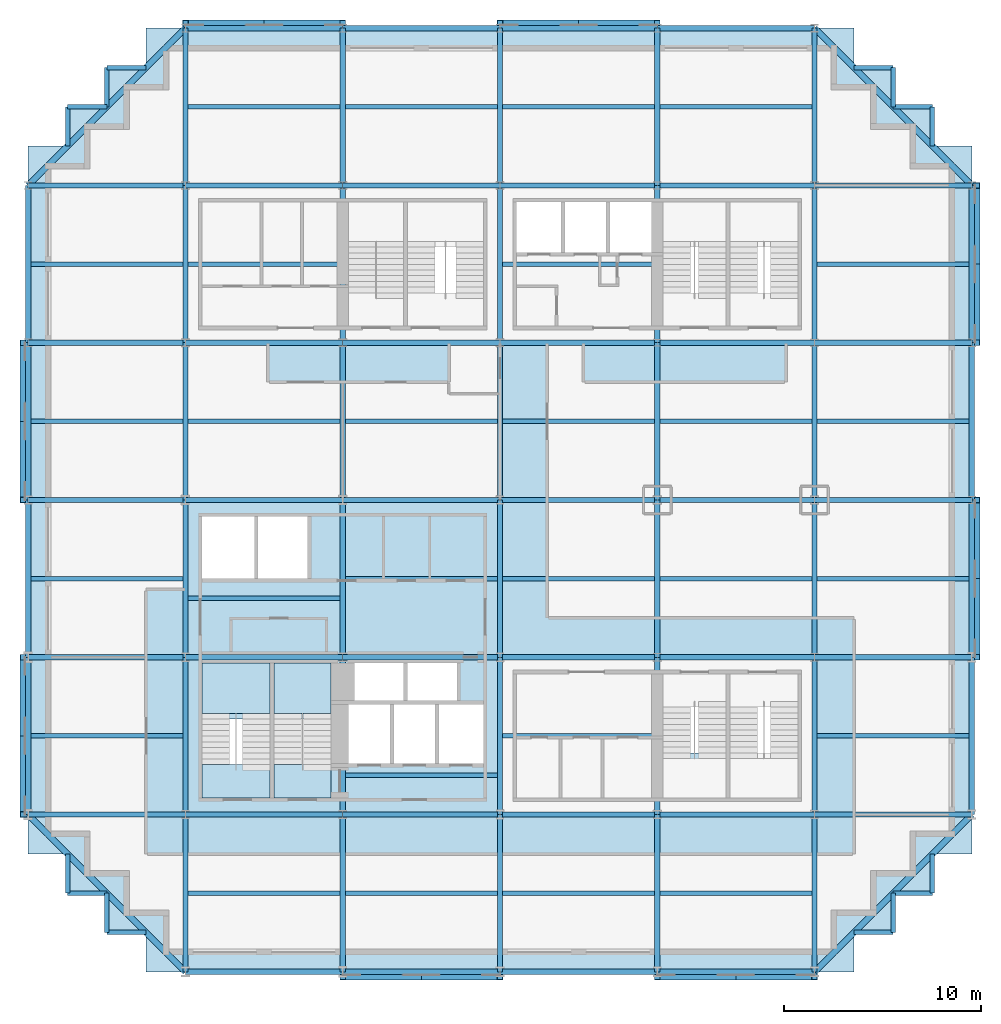
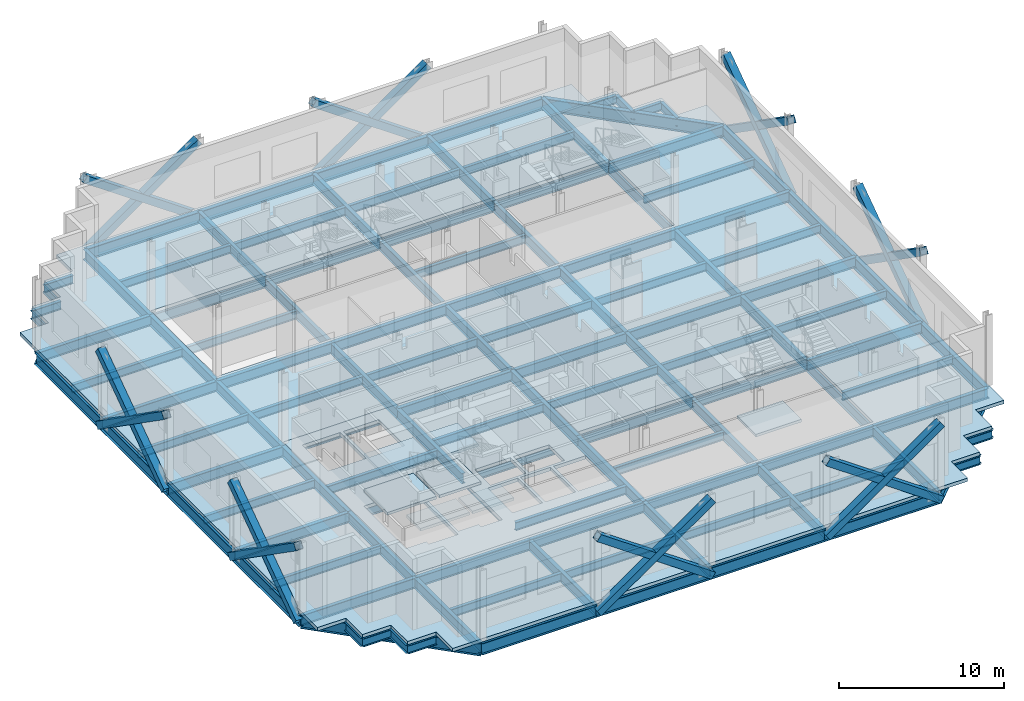
# One storey, part 3 of 10: 124 beams, 16 members, 9 slabs, 3 elements without a shape of their own.
"""IFC4 building model written with IfcOpenShell, lengths in metres."""

from ifc_helpers import new_model, si_unit, direction, frame, origin, origin_2d, place, context, subcontext, project, spatial, polyline, hollow_rectangle, i_section, outline, extrude, material, layer, layer_set, material_profile, profile_set, type_object, element, aggregate, save


model = new_model("IFC4")

# Units and contexts
model_context = context("Model", 3, precision=1e-05, world=origin(), true_north=direction((0.0, 1.0)))
body_context = subcontext(model_context, "Body", "Model", "MODEL_VIEW")
ifc_project = project(units=[si_unit("LENGTHUNIT", "METRE"), si_unit("AREAUNIT", "SQUARE_METRE"), si_unit("VOLUMEUNIT", "CUBIC_METRE"), si_unit("PLANEANGLEUNIT", "RADIAN"), si_unit("MASSUNIT", "GRAM", prefix="KILO")], contexts=[model_context])

# Site, building, storey
site_placement = place(None, origin())
site = spatial("IfcSite", under=ifc_project, at=site_placement, CompositionType="ELEMENT")
building_placement = place(site_placement, origin())
building = spatial("IfcBuilding", under=site, at=building_placement, Name="Immortelle Media Tower", CompositionType="ELEMENT")
storey_placement = place(building_placement, frame((0.0, 0.0, 29.39990234375)))
storey = spatial("IfcBuildingStorey", under=building, at=storey_placement, Name="L03", CompositionType="ELEMENT", Elevation=29.39990234375)

# Members
ifc_material_1 = material(Name="Steel ASTM A500 Gr C", Category="steel")
ifc_material_profile_1 = material_profile(ifc_material_1, hollow_rectangle(XDim=0.508056640625, YDim=0.508056640625, WallThickness=0.014892578125, at=origin_2d()), Name="HSS20x20x5/8 brace")
ifc_profile_set_1 = profile_set([ifc_material_profile_1], Name="Steel ASTM A500 Gr C")
member_type = type_object("IfcMemberType", Name="HSS20x20x5/8 brace", PredefinedType="BRACE", material=ifc_profile_set_1)
for number, where, z_axis, x_axis, name in (
    (1, (-0.1640625, 32.0, -0.679443359375), (0.0, -0.820119852784, 0.57219177473), (1.0, 0.0, 0.0), "Brace 1/D-E A"),
    (2, (-0.1640625, 32.0, 4.902099609375), (0.0, -0.820119852784, -0.57219177473), (1.0, 0.0, 0.0), "Brace 1/D-E B"),
    (3, (-0.1640625, 16.0, -0.679443359375), (0.0, -0.820119852784, 0.57219177473), (1.0, 0.0, 0.0), "Brace 1/B-C A"),
    (4, (-0.1640625, 16.0, 4.902099609375), (0.0, -0.820119852784, -0.57219177473), (1.0, 0.0, 0.0), "Brace 1/B-C B"),
    (5, (16.0, -0.1640625, -0.679443359375), (0.820119852784, 0.0, 0.57219177473), (0.0, 1.0, 0.0), "Brace A/3-4 A"),
    (6, (16.0, -0.1640625, 4.902099609375), (0.820119852784, 0.0, -0.57219177473), (0.0, 1.0, 0.0), "Brace A/3-4 B"),
    (7, (32.0, -0.1640625, -0.679443359375), (0.820119852784, 0.0, 0.57219177473), (0.0, 1.0, 0.0), "Brace A/5-6 A"),
    (8, (32.0, -0.1640625, 4.902099609375), (0.820119852784, 0.0, -0.57219177473), (0.0, 1.0, 0.0), "Brace A/5-6 B"),
    (9, (48.1640625, 16.0, -0.679443359375), (0.0, 0.820119852784, 0.57219177473), (-1.0, 0.0, 0.0), "Brace 7/C-D A"),
    (10, (48.1640625, 16.0, 4.902099609375), (0.0, 0.820119852784, -0.57219177473), (-1.0, 0.0, 0.0), "Brace 7/C-D B"),
    (11, (48.1640625, 32.0, -0.679443359375), (0.0, 0.820119852784, 0.57219177473), (-1.0, 0.0, 0.0), "Brace 7/E-F A"),
    (12, (48.1640625, 32.0, 4.902099609375), (0.0, 0.820119852784, -0.57219177473), (-1.0, 0.0, 0.0), "Brace 7/E-F B"),
    (13, (32.0, 48.1640625, -0.679443359375), (-0.820119852784, 0.0, 0.57219177473), (0.0, -1.0, 0.0), "Brace G/4-5 A"),
    (14, (32.0, 48.1640625, 4.902099609375), (-0.820119852784, 0.0, -0.57219177473), (0.0, -1.0, 0.0), "Brace G/4-5 B"),
    (15, (16.0, 48.1640625, -0.679443359375), (-0.820119852784, 0.0, 0.57219177473), (0.0, -1.0, 0.0), "Brace G/2-3 A"),
    (16, (16.0, 48.1640625, 4.902099609375), (-0.820119852784, 0.0, -0.57219177473), (0.0, -1.0, 0.0), "Brace G/2-3 B"),
):
    element("IfcMember", number, at=place(storey_placement, frame(where, z_axis=z_axis, x_axis=x_axis)), inside=storey, type_object=member_type, Name=name, PredefinedType="BRACE", context=body_context, shape_type="SweptSolid", body=[
        extrude(hollow_rectangle(XDim=0.508056640625, YDim=0.508056640625, WallThickness=0.014892578125, at=origin_2d()), origin(), (0.0, 0.0, 1.0), 9.754638671875),
    ])

# Beams
ifc_material_2 = material(Name="Steel ASTM A992 Gr 50", Category="steel")
ifc_material_profile_2 = material_profile(ifc_material_2, i_section(OverallWidth=0.22900390625, OverallDepth=0.612060546875, WebThickness=0.011962890625, FlangeThickness=0.02001953125, at=origin_2d()), Name="W24x84")
ifc_profile_set_2 = profile_set([ifc_material_profile_2], Name="Steel ASTM A992 Gr 50")
beam_type_1 = type_object("IfcBeamType", Name="W24x84 secondary beam", PredefinedType="JOIST", material=ifc_profile_set_2)
for number, where, z_axis, x_axis, name in (
    (17, (8.133544921875, 4.0, -0.555908203125), (1.0, 0.0, 0.0), (0.0, 1.0, 0.0), "Beam A-B/2-3"),
    (18, (16.133544921875, 4.0, -0.555908203125), (1.0, 0.0, 0.0), (0.0, 1.0, 0.0), "Beam A-B/3-4"),
    (19, (24.133544921875, 4.0, -0.555908203125), (1.0, 0.0, 0.0), (0.0, 1.0, 0.0), "Beam A-B/4-5"),
    (20, (32.133544921875, 4.0, -0.555908203125), (1.0, 0.0, 0.0), (0.0, 1.0, 0.0), "Beam A-B/5-6"),
):
    element("IfcBeam", number, at=place(storey_placement, frame(where, z_axis=z_axis, x_axis=x_axis)), inside=storey, type_object=beam_type_1, Name=name, PredefinedType="JOIST", context=body_context, shape_type="SweptSolid", body=[
        extrude(i_section(OverallWidth=0.22900390625, OverallDepth=0.612060546875, WebThickness=0.011962890625, FlangeThickness=0.02001953125, at=origin_2d()), origin(), (0.0, 0.0, 1.0), 7.73291015625),
    ])
beam_1_placement = place(storey_placement, frame((0.14599609375, 12.0, -0.555908203125), z_axis=(1.0, 0.0, 0.0), x_axis=(0.0, 1.0, 0.0)))
element("IfcBeam", 21, at=beam_1_placement, inside=storey, type_object=beam_type_1, Name="Beam B-C/1-2", PredefinedType="JOIST", context=body_context, shape_type="SweptSolid", body=[
    extrude(i_section(OverallWidth=0.22900390625, OverallDepth=0.612060546875, WebThickness=0.011962890625, FlangeThickness=0.02001953125, at=origin_2d()), origin(), (0.0, 0.0, 1.0), 7.720458984375),
])
for number, where, z_axis, x_axis, name in (
    (22, (16.133544921875, 10.0, -0.555908203125), (1.0, 0.0, 0.0), (0.0, 1.0, 0.0), "Beam B-C/3-4"),
    (23, (24.133544921875, 12.0, -0.555908203125), (1.0, 0.0, 0.0), (0.0, 1.0, 0.0), "Beam B-C/4-5"),
):
    element("IfcBeam", number, at=place(storey_placement, frame(where, z_axis=z_axis, x_axis=x_axis)), inside=storey, type_object=beam_type_1, Name=name, PredefinedType="JOIST", context=body_context, shape_type="SweptSolid", body=[
        extrude(i_section(OverallWidth=0.22900390625, OverallDepth=0.612060546875, WebThickness=0.011962890625, FlangeThickness=0.02001953125, at=origin_2d()), origin(), (0.0, 0.0, 1.0), 7.73291015625),
    ])
for number, where, z_axis, x_axis, name in (
    (24, (40.133544921875, 12.0, -0.555908203125), (1.0, 0.0, 0.0), (0.0, 1.0, 0.0), "Beam B-C/6-7"),
    (25, (0.14599609375, 20.0, -0.555908203125), (1.0, 0.0, 0.0), (0.0, 1.0, 0.0), "Beam C-D/1-2"),
):
    element("IfcBeam", number, at=place(storey_placement, frame(where, z_axis=z_axis, x_axis=x_axis)), inside=storey, type_object=beam_type_1, Name=name, PredefinedType="JOIST", context=body_context, shape_type="SweptSolid", body=[
        extrude(i_section(OverallWidth=0.22900390625, OverallDepth=0.612060546875, WebThickness=0.011962890625, FlangeThickness=0.02001953125, at=origin_2d()), origin(), (0.0, 0.0, 1.0), 7.720458984375),
    ])
for number, where, z_axis, x_axis, name in (
    (26, (8.133544921875, 19.0, -0.555908203125), (1.0, 0.0, 0.0), (0.0, 1.0, 0.0), "Beam C-D/2-3"),
    (27, (16.133544921875, 20.0, -0.555908203125), (1.0, 0.0, 0.0), (0.0, 1.0, 0.0), "Beam C-D/3-4"),
    (28, (24.133544921875, 20.0, -0.555908203125), (1.0, 0.0, 0.0), (0.0, 1.0, 0.0), "Beam C-D/4-5"),
    (29, (32.133544921875, 20.0, -0.555908203125), (1.0, 0.0, 0.0), (0.0, 1.0, 0.0), "Beam C-D/5-6"),
):
    element("IfcBeam", number, at=place(storey_placement, frame(where, z_axis=z_axis, x_axis=x_axis)), inside=storey, type_object=beam_type_1, Name=name, PredefinedType="JOIST", context=body_context, shape_type="SweptSolid", body=[
        extrude(i_section(OverallWidth=0.22900390625, OverallDepth=0.612060546875, WebThickness=0.011962890625, FlangeThickness=0.02001953125, at=origin_2d()), origin(), (0.0, 0.0, 1.0), 7.73291015625),
    ])
for number, where, z_axis, x_axis, name in (
    (30, (40.133544921875, 20.0, -0.555908203125), (1.0, 0.0, 0.0), (0.0, 1.0, 0.0), "Beam C-D/6-7"),
    (31, (0.14599609375, 28.0, -0.555908203125), (1.0, 0.0, 0.0), (0.0, 1.0, 0.0), "Beam D-E/1-2"),
):
    element("IfcBeam", number, at=place(storey_placement, frame(where, z_axis=z_axis, x_axis=x_axis)), inside=storey, type_object=beam_type_1, Name=name, PredefinedType="JOIST", context=body_context, shape_type="SweptSolid", body=[
        extrude(i_section(OverallWidth=0.22900390625, OverallDepth=0.612060546875, WebThickness=0.011962890625, FlangeThickness=0.02001953125, at=origin_2d()), origin(), (0.0, 0.0, 1.0), 7.720458984375),
    ])
for number, where, z_axis, x_axis, name in (
    (32, (8.133544921875, 28.0, -0.555908203125), (1.0, 0.0, 0.0), (0.0, 1.0, 0.0), "Beam D-E/2-3"),
    (33, (16.133544921875, 28.0, -0.555908203125), (1.0, 0.0, 0.0), (0.0, 1.0, 0.0), "Beam D-E/3-4"),
    (34, (24.133544921875, 28.0, -0.555908203125), (1.0, 0.0, 0.0), (0.0, 1.0, 0.0), "Beam D-E/4-5"),
    (35, (32.133544921875, 28.0, -0.555908203125), (1.0, 0.0, 0.0), (0.0, 1.0, 0.0), "Beam D-E/5-6"),
):
    element("IfcBeam", number, at=place(storey_placement, frame(where, z_axis=z_axis, x_axis=x_axis)), inside=storey, type_object=beam_type_1, Name=name, PredefinedType="JOIST", context=body_context, shape_type="SweptSolid", body=[
        extrude(i_section(OverallWidth=0.22900390625, OverallDepth=0.612060546875, WebThickness=0.011962890625, FlangeThickness=0.02001953125, at=origin_2d()), origin(), (0.0, 0.0, 1.0), 7.73291015625),
    ])
for number, where, z_axis, x_axis, name in (
    (36, (40.133544921875, 28.0, -0.555908203125), (1.0, 0.0, 0.0), (0.0, 1.0, 0.0), "Beam D-E/6-7"),
    (37, (0.14599609375, 36.0, -0.555908203125), (1.0, 0.0, 0.0), (0.0, 1.0, 0.0), "Beam E-F/1-2"),
):
    element("IfcBeam", number, at=place(storey_placement, frame(where, z_axis=z_axis, x_axis=x_axis)), inside=storey, type_object=beam_type_1, Name=name, PredefinedType="JOIST", context=body_context, shape_type="SweptSolid", body=[
        extrude(i_section(OverallWidth=0.22900390625, OverallDepth=0.612060546875, WebThickness=0.011962890625, FlangeThickness=0.02001953125, at=origin_2d()), origin(), (0.0, 0.0, 1.0), 7.720458984375),
    ])
for number, where, z_axis, x_axis, name in (
    (38, (8.133544921875, 36.0, -0.555908203125), (1.0, 0.0, 0.0), (0.0, 1.0, 0.0), "Beam E-F/2-3"),
    (39, (24.133544921875, 36.0, -0.555908203125), (1.0, 0.0, 0.0), (0.0, 1.0, 0.0), "Beam E-F/4-5"),
):
    element("IfcBeam", number, at=place(storey_placement, frame(where, z_axis=z_axis, x_axis=x_axis)), inside=storey, type_object=beam_type_1, Name=name, PredefinedType="JOIST", context=body_context, shape_type="SweptSolid", body=[
        extrude(i_section(OverallWidth=0.22900390625, OverallDepth=0.612060546875, WebThickness=0.011962890625, FlangeThickness=0.02001953125, at=origin_2d()), origin(), (0.0, 0.0, 1.0), 7.73291015625),
    ])
beam_2_placement = place(storey_placement, frame((40.133544921875, 36.0, -0.555908203125), z_axis=(1.0, 0.0, 0.0), x_axis=(0.0, 1.0, 0.0)))
element("IfcBeam", 40, at=beam_2_placement, inside=storey, type_object=beam_type_1, Name="Beam E-F/6-7", PredefinedType="JOIST", context=body_context, shape_type="SweptSolid", body=[
    extrude(i_section(OverallWidth=0.22900390625, OverallDepth=0.612060546875, WebThickness=0.011962890625, FlangeThickness=0.02001953125, at=origin_2d()), origin(), (0.0, 0.0, 1.0), 7.720458984375),
])
for number, where, z_axis, x_axis, name in (
    (41, (8.133544921875, 44.0, -0.555908203125), (1.0, 0.0, 0.0), (0.0, 1.0, 0.0), "Beam F-G/2-3"),
    (42, (16.133544921875, 44.0, -0.555908203125), (1.0, 0.0, 0.0), (0.0, 1.0, 0.0), "Beam F-G/3-4"),
    (43, (24.133544921875, 44.0, -0.555908203125), (1.0, 0.0, 0.0), (0.0, 1.0, 0.0), "Beam F-G/4-5"),
    (44, (32.133544921875, 44.0, -0.555908203125), (1.0, 0.0, 0.0), (0.0, 1.0, 0.0), "Beam F-G/5-6"),
):
    element("IfcBeam", number, at=place(storey_placement, frame(where, z_axis=z_axis, x_axis=x_axis)), inside=storey, type_object=beam_type_1, Name=name, PredefinedType="JOIST", context=body_context, shape_type="SweptSolid", body=[
        extrude(i_section(OverallWidth=0.22900390625, OverallDepth=0.612060546875, WebThickness=0.011962890625, FlangeThickness=0.02001953125, at=origin_2d()), origin(), (0.0, 0.0, 1.0), 7.73291015625),
    ])
ifc_material_profile_3 = material_profile(ifc_material_2, i_section(OverallWidth=0.22900390625, OverallDepth=0.612060546875, WebThickness=0.011962890625, FlangeThickness=0.02001953125, at=origin_2d()), Name="W24x84")
ifc_profile_set_3 = profile_set([ifc_material_profile_3], Name="Steel ASTM A992 Gr 50")
beam_type_2 = type_object("IfcBeamType", Name="W24x84 serration edge beam", PredefinedType="SPANDREL", material=ifc_profile_set_3)
for number, where, z_axis, x_axis, name in (
    (45, (6.0, 2.0, -0.555908203125), (-1.0, 0.0, 0.0), (0.0, -1.0, 0.0), "Corner edge beam 1 at 1/A"),
    (46, (4.0, 2.0, -0.555908203125), (0.0, 1.0, 0.0), (-1.0, 0.0, 0.0), "Corner edge beam 2 at 1/A"),
    (47, (4.0, 4.0, -0.555908203125), (-1.0, 0.0, 0.0), (0.0, -1.0, 0.0), "Corner edge beam 3 at 1/A"),
    (48, (2.0, 4.0, -0.555908203125), (0.0, 1.0, 0.0), (-1.0, 0.0, 0.0), "Corner edge beam 4 at 1/A"),
    (49, (2.0, 42.0, -0.555908203125), (0.0, 1.0, 0.0), (-1.0, 0.0, 0.0), "Corner edge beam 1 at 1/G"),
    (50, (2.0, 44.0, -0.555908203125), (1.0, 0.0, 0.0), (0.0, 1.0, 0.0), "Corner edge beam 2 at 1/G"),
    (51, (4.0, 44.0, -0.555908203125), (0.0, 1.0, 0.0), (-1.0, 0.0, 0.0), "Corner edge beam 3 at 1/G"),
    (52, (4.0, 46.0, -0.555908203125), (1.0, 0.0, 0.0), (0.0, 1.0, 0.0), "Corner edge beam 4 at 1/G"),
    (53, (46.0, 6.0, -0.555908203125), (0.0, -1.0, 0.0), (1.0, 0.0, 0.0), "Corner edge beam 1 at 7/A"),
    (54, (46.0, 4.0, -0.555908203125), (-1.0, 0.0, 0.0), (0.0, -1.0, 0.0), "Corner edge beam 2 at 7/A"),
    (55, (44.0, 4.0, -0.555908203125), (0.0, -1.0, 0.0), (1.0, 0.0, 0.0), "Corner edge beam 3 at 7/A"),
    (56, (44.0, 2.0, -0.555908203125), (-1.0, 0.0, 0.0), (0.0, -1.0, 0.0), "Corner edge beam 4 at 7/A"),
    (57, (42.0, 46.0, -0.555908203125), (1.0, 0.0, 0.0), (0.0, 1.0, 0.0), "Corner edge beam 1 at 7/G"),
    (58, (44.0, 46.0, -0.555908203125), (0.0, -1.0, 0.0), (1.0, 0.0, 0.0), "Corner edge beam 2 at 7/G"),
    (59, (44.0, 44.0, -0.555908203125), (1.0, 0.0, 0.0), (0.0, 1.0, 0.0), "Corner edge beam 3 at 7/G"),
    (60, (46.0, 44.0, -0.555908203125), (0.0, -1.0, 0.0), (1.0, 0.0, 0.0), "Corner edge beam 4 at 7/G"),
):
    element("IfcBeam", number, at=place(storey_placement, frame(where, z_axis=z_axis, x_axis=x_axis)), inside=storey, type_object=beam_type_2, Name=name, PredefinedType="SPANDREL", context=body_context, shape_type="SweptSolid", body=[
        extrude(i_section(OverallWidth=0.22900390625, OverallDepth=0.612060546875, WebThickness=0.011962890625, FlangeThickness=0.02001953125, at=origin_2d()), origin(), (0.0, 0.0, 1.0), 2.0),
    ])
ifc_material_profile_4 = material_profile(ifc_material_2, i_section(OverallWidth=0.26708984375, OverallDepth=0.761962890625, WebThickness=0.013916015625, FlangeThickness=0.02197265625, at=origin_2d()), Name="W30x116")
ifc_profile_set_4 = profile_set([ifc_material_profile_4], Name="Steel ASTM A992 Gr 50")
beam_type_3 = type_object("IfcBeamType", Name="W30x116 girder", PredefinedType="BEAM", material=ifc_profile_set_4)
for number, where, z_axis, x_axis, name in (
    (61, (0.0, 8.0, -0.630859375), (1.0, 0.0, 0.0), (0.0, 1.0, 0.0), "Girder B/1-2"),
    (62, (0.0, 16.0, -0.630859375), (1.0, 0.0, 0.0), (0.0, 1.0, 0.0), "Girder C/1-2"),
    (63, (0.0, 24.0, -0.630859375), (1.0, 0.0, 0.0), (0.0, 1.0, 0.0), "Girder D/1-2"),
    (64, (0.0, 32.0, -0.630859375), (1.0, 0.0, 0.0), (0.0, 1.0, 0.0), "Girder E/1-2"),
    (65, (0.0, 40.0, -0.630859375), (1.0, 0.0, 0.0), (0.0, 1.0, 0.0), "Girder F/1-2"),
    (66, (8.0, 0.0, -0.630859375), (0.0, 1.0, 0.0), (-1.0, 0.0, 0.0), "Girder 2/A-B"),
    (67, (8.0, 8.0, -0.630859375), (1.0, 0.0, 0.0), (0.0, 1.0, 0.0), "Girder B/2-3"),
    (68, (8.0, 8.0, -0.630859375), (0.0, 1.0, 0.0), (-1.0, 0.0, 0.0), "Girder 2/B-C"),
    (69, (8.0, 16.0, -0.630859375), (1.0, 0.0, 0.0), (0.0, 1.0, 0.0), "Girder C/2-3"),
    (70, (8.0, 16.0, -0.630859375), (0.0, 1.0, 0.0), (-1.0, 0.0, 0.0), "Girder 2/C-D"),
    (71, (8.0, 24.0, -0.630859375), (1.0, 0.0, 0.0), (0.0, 1.0, 0.0), "Girder D/2-3"),
    (72, (8.0, 24.0, -0.630859375), (0.0, 1.0, 0.0), (-1.0, 0.0, 0.0), "Girder 2/D-E"),
    (73, (8.0, 32.0, -0.630859375), (1.0, 0.0, 0.0), (0.0, 1.0, 0.0), "Girder E/2-3"),
    (74, (8.0, 32.0, -0.630859375), (0.0, 1.0, 0.0), (-1.0, 0.0, 0.0), "Girder 2/E-F"),
    (75, (8.0, 40.0, -0.630859375), (1.0, 0.0, 0.0), (0.0, 1.0, 0.0), "Girder F/2-3"),
    (76, (8.0, 40.0, -0.630859375), (0.0, 1.0, 0.0), (-1.0, 0.0, 0.0), "Girder 2/F-G"),
    (77, (16.0, 0.0, -0.630859375), (0.0, 1.0, 0.0), (-1.0, 0.0, 0.0), "Girder 3/A-B"),
    (78, (16.0, 8.0, -0.630859375), (1.0, 0.0, 0.0), (0.0, 1.0, 0.0), "Girder B/3-4"),
    (79, (16.0, 8.0, -0.630859375), (0.0, 1.0, 0.0), (-1.0, 0.0, 0.0), "Girder 3/B-C"),
    (80, (16.0, 16.0, -0.630859375), (1.0, 0.0, 0.0), (0.0, 1.0, 0.0), "Girder C/3-4"),
    (81, (16.0, 16.0, -0.630859375), (0.0, 1.0, 0.0), (-1.0, 0.0, 0.0), "Girder 3/C-D"),
    (82, (16.0, 24.0, -0.630859375), (1.0, 0.0, 0.0), (0.0, 1.0, 0.0), "Girder D/3-4"),
    (83, (16.0, 24.0, -0.630859375), (0.0, 1.0, 0.0), (-1.0, 0.0, 0.0), "Girder 3/D-E"),
    (84, (16.0, 32.0, -0.630859375), (1.0, 0.0, 0.0), (0.0, 1.0, 0.0), "Girder E/3-4"),
    (85, (16.0, 32.0, -0.630859375), (0.0, 1.0, 0.0), (-1.0, 0.0, 0.0), "Girder 3/E-F"),
    (86, (16.0, 40.0, -0.630859375), (1.0, 0.0, 0.0), (0.0, 1.0, 0.0), "Girder F/3-4"),
    (87, (16.0, 40.0, -0.630859375), (0.0, 1.0, 0.0), (-1.0, 0.0, 0.0), "Girder 3/F-G"),
    (88, (24.0, 0.0, -0.630859375), (0.0, 1.0, 0.0), (-1.0, 0.0, 0.0), "Girder 4/A-B"),
    (89, (24.0, 8.0, -0.630859375), (1.0, 0.0, 0.0), (0.0, 1.0, 0.0), "Girder B/4-5"),
    (90, (24.0, 8.0, -0.630859375), (0.0, 1.0, 0.0), (-1.0, 0.0, 0.0), "Girder 4/B-C"),
    (91, (24.0, 16.0, -0.630859375), (1.0, 0.0, 0.0), (0.0, 1.0, 0.0), "Girder C/4-5"),
    (92, (24.0, 16.0, -0.630859375), (0.0, 1.0, 0.0), (-1.0, 0.0, 0.0), "Girder 4/C-D"),
    (93, (24.0, 24.0, -0.630859375), (1.0, 0.0, 0.0), (0.0, 1.0, 0.0), "Girder D/4-5"),
    (94, (24.0, 24.0, -0.630859375), (0.0, 1.0, 0.0), (-1.0, 0.0, 0.0), "Girder 4/D-E"),
    (95, (24.0, 32.0, -0.630859375), (1.0, 0.0, 0.0), (0.0, 1.0, 0.0), "Girder E/4-5"),
    (96, (24.0, 32.0, -0.630859375), (0.0, 1.0, 0.0), (-1.0, 0.0, 0.0), "Girder 4/E-F"),
    (97, (24.0, 40.0, -0.630859375), (1.0, 0.0, 0.0), (0.0, 1.0, 0.0), "Girder F/4-5"),
    (98, (24.0, 40.0, -0.630859375), (0.0, 1.0, 0.0), (-1.0, 0.0, 0.0), "Girder 4/F-G"),
    (99, (32.0, 0.0, -0.630859375), (0.0, 1.0, 0.0), (-1.0, 0.0, 0.0), "Girder 5/A-B"),
    (100, (32.0, 8.0, -0.630859375), (1.0, 0.0, 0.0), (0.0, 1.0, 0.0), "Girder B/5-6"),
    (101, (32.0, 8.0, -0.630859375), (0.0, 1.0, 0.0), (-1.0, 0.0, 0.0), "Girder 5/B-C"),
    (102, (32.0, 16.0, -0.630859375), (1.0, 0.0, 0.0), (0.0, 1.0, 0.0), "Girder C/5-6"),
    (103, (32.0, 16.0, -0.630859375), (0.0, 1.0, 0.0), (-1.0, 0.0, 0.0), "Girder 5/C-D"),
    (104, (32.0, 24.0, -0.630859375), (1.0, 0.0, 0.0), (0.0, 1.0, 0.0), "Girder D/5-6"),
    (105, (32.0, 24.0, -0.630859375), (0.0, 1.0, 0.0), (-1.0, 0.0, 0.0), "Girder 5/D-E"),
    (106, (32.0, 32.0, -0.630859375), (1.0, 0.0, 0.0), (0.0, 1.0, 0.0), "Girder E/5-6"),
    (107, (32.0, 32.0, -0.630859375), (0.0, 1.0, 0.0), (-1.0, 0.0, 0.0), "Girder 5/E-F"),
    (108, (32.0, 40.0, -0.630859375), (1.0, 0.0, 0.0), (0.0, 1.0, 0.0), "Girder F/5-6"),
    (109, (32.0, 40.0, -0.630859375), (0.0, 1.0, 0.0), (-1.0, 0.0, 0.0), "Girder 5/F-G"),
    (110, (40.0, 0.0, -0.630859375), (0.0, 1.0, 0.0), (-1.0, 0.0, 0.0), "Girder 6/A-B"),
    (111, (40.0, 8.0, -0.630859375), (1.0, 0.0, 0.0), (0.0, 1.0, 0.0), "Girder B/6-7"),
    (112, (40.0, 8.0, -0.630859375), (0.0, 1.0, 0.0), (-1.0, 0.0, 0.0), "Girder 6/B-C"),
    (113, (40.0, 16.0, -0.630859375), (1.0, 0.0, 0.0), (0.0, 1.0, 0.0), "Girder C/6-7"),
    (114, (40.0, 16.0, -0.630859375), (0.0, 1.0, 0.0), (-1.0, 0.0, 0.0), "Girder 6/C-D"),
    (115, (40.0, 24.0, -0.630859375), (1.0, 0.0, 0.0), (0.0, 1.0, 0.0), "Girder D/6-7"),
    (116, (40.0, 24.0, -0.630859375), (0.0, 1.0, 0.0), (-1.0, 0.0, 0.0), "Girder 6/D-E"),
    (117, (40.0, 32.0, -0.630859375), (1.0, 0.0, 0.0), (0.0, 1.0, 0.0), "Girder E/6-7"),
    (118, (40.0, 32.0, -0.630859375), (0.0, 1.0, 0.0), (-1.0, 0.0, 0.0), "Girder 6/E-F"),
    (119, (40.0, 40.0, -0.630859375), (1.0, 0.0, 0.0), (0.0, 1.0, 0.0), "Girder F/6-7"),
    (120, (40.0, 40.0, -0.630859375), (0.0, 1.0, 0.0), (-1.0, 0.0, 0.0), "Girder 6/F-G"),
):
    element("IfcBeam", number, at=place(storey_placement, frame(where, z_axis=z_axis, x_axis=x_axis)), inside=storey, type_object=beam_type_3, Name=name, PredefinedType="BEAM", context=body_context, shape_type="SweptSolid", body=[
        extrude(i_section(OverallWidth=0.26708984375, OverallDepth=0.761962890625, WebThickness=0.013916015625, FlangeThickness=0.02197265625, at=origin_2d()), origin(), (0.0, 0.0, 1.0), 8.0),
    ])
ifc_material_profile_5 = material_profile(ifc_material_2, i_section(OverallWidth=0.2919921875, OverallDepth=0.85888671875, WebThickness=0.01708984375, FlangeThickness=0.031005859375, at=origin_2d()), Name="W33x169")
ifc_profile_set_5 = profile_set([ifc_material_profile_5], Name="Steel ASTM A992 Gr 50")
beam_type_4 = type_object("IfcBeamType", Name="W33x169 perimeter girder", PredefinedType="SPANDREL", material=ifc_profile_set_5)
for number, where, z_axis, x_axis, name in (
    (121, (0.0, 8.0, -0.679443359375), (0.0, 1.0, 0.0), (-1.0, 0.0, 0.0), "Girder 1/B-C"),
    (122, (0.0, 16.0, -0.679443359375), (0.0, 1.0, 0.0), (-1.0, 0.0, 0.0), "Girder 1/C-D"),
    (123, (0.0, 24.0, -0.679443359375), (0.0, 1.0, 0.0), (-1.0, 0.0, 0.0), "Girder 1/D-E"),
    (124, (0.0, 32.0, -0.679443359375), (0.0, 1.0, 0.0), (-1.0, 0.0, 0.0), "Girder 1/E-F"),
    (125, (8.0, 0.0, -0.679443359375), (1.0, 0.0, 0.0), (0.0, 1.0, 0.0), "Girder A/2-3"),
    (126, (8.0, 48.0, -0.679443359375), (1.0, 0.0, 0.0), (0.0, 1.0, 0.0), "Girder G/2-3"),
    (127, (16.0, 0.0, -0.679443359375), (1.0, 0.0, 0.0), (0.0, 1.0, 0.0), "Girder A/3-4"),
    (128, (16.0, 48.0, -0.679443359375), (1.0, 0.0, 0.0), (0.0, 1.0, 0.0), "Girder G/3-4"),
    (129, (24.0, 0.0, -0.679443359375), (1.0, 0.0, 0.0), (0.0, 1.0, 0.0), "Girder A/4-5"),
    (130, (24.0, 48.0, -0.679443359375), (1.0, 0.0, 0.0), (0.0, 1.0, 0.0), "Girder G/4-5"),
    (131, (32.0, 0.0, -0.679443359375), (1.0, 0.0, 0.0), (0.0, 1.0, 0.0), "Girder A/5-6"),
    (132, (32.0, 48.0, -0.679443359375), (1.0, 0.0, 0.0), (0.0, 1.0, 0.0), "Girder G/5-6"),
    (133, (48.0, 8.0, -0.679443359375), (0.0, 1.0, 0.0), (-1.0, 0.0, 0.0), "Girder 7/B-C"),
    (134, (48.0, 16.0, -0.679443359375), (0.0, 1.0, 0.0), (-1.0, 0.0, 0.0), "Girder 7/C-D"),
    (135, (48.0, 24.0, -0.679443359375), (0.0, 1.0, 0.0), (-1.0, 0.0, 0.0), "Girder 7/D-E"),
    (136, (48.0, 32.0, -0.679443359375), (0.0, 1.0, 0.0), (-1.0, 0.0, 0.0), "Girder 7/E-F"),
):
    element("IfcBeam", number, at=place(storey_placement, frame(where, z_axis=z_axis, x_axis=x_axis)), inside=storey, type_object=beam_type_4, Name=name, PredefinedType="SPANDREL", context=body_context, shape_type="SweptSolid", body=[
        extrude(i_section(OverallWidth=0.2919921875, OverallDepth=0.85888671875, WebThickness=0.01708984375, FlangeThickness=0.031005859375, at=origin_2d()), origin(), (0.0, 0.0, 1.0), 8.0),
    ])
ifc_material_profile_6 = material_profile(ifc_material_2, i_section(OverallWidth=0.306884765625, OverallDepth=0.927001953125, WebThickness=0.01904296875, FlangeThickness=0.031982421875, at=origin_2d()), Name="W36x194")
ifc_profile_set_6 = profile_set([ifc_material_profile_6], Name="Steel ASTM A992 Gr 50")
beam_type_5 = type_object("IfcBeamType", Name="W36x194 corner girder", PredefinedType="SPANDREL", material=ifc_profile_set_6)
for number, where, z_axis, x_axis, name in (
    (137, (8.0, 0.0, -0.71337890625), (-0.707106781187, 0.707106781187, 0.0), (-0.707106781187, -0.707106781187, 0.0), "Corner girder at 1/A"),
    (138, (0.0, 40.0, -0.71337890625), (0.707106781187, 0.707106781187, 0.0), (-0.707106781187, 0.707106781187, 0.0), "Corner girder at 1/G"),
    (139, (48.0, 8.0, -0.71337890625), (-0.707106781187, -0.707106781187, 0.0), (0.707106781187, -0.707106781187, 0.0), "Corner girder at 7/A"),
    (140, (40.0, 48.0, -0.71337890625), (0.707106781187, -0.707106781187, 0.0), (0.707106781187, 0.707106781187, 0.0), "Corner girder at 7/G"),
):
    element("IfcBeam", number, at=place(storey_placement, frame(where, z_axis=z_axis, x_axis=x_axis)), inside=storey, type_object=beam_type_5, Name=name, PredefinedType="SPANDREL", context=body_context, shape_type="SweptSolid", body=[
        extrude(i_section(OverallWidth=0.306884765625, OverallDepth=0.927001953125, WebThickness=0.01904296875, FlangeThickness=0.031982421875, at=origin_2d()), origin(), (0.0, 0.0, 1.0), 11.313720703125),
    ])

# Slabs
ifc_material_3 = material(Name="Concrete C50/60", Category="concrete")
ifc_layer_1 = layer(ifc_material_3, 0.25)
ifc_layer_set_1 = layer_set([ifc_layer_1], Name="Concrete C50/60")
slab_type_1 = type_object("IfcSlabType", Name="Composite floor slab 250", PredefinedType="FLOOR", material=ifc_layer_set_1)
slab_1_placement = place(storey_placement, frame((0.0, 0.0, -0.25)))
element("IfcSlab", 141, at=slab_1_placement, inside=storey, type_object=slab_type_1, Name="Floor slab L03", PredefinedType="FLOOR", context=body_context, shape_type="SweptSolid", body=[
    extrude(outline(polyline([(0.0, 42.0), (2.0, 42.0), (2.0, 44.0), (4.0, 44.0), (4.0, 46.0), (6.0, 46.0), (6.0, 48.0), (24.0, 48.0), (42.0, 48.0), (42.0, 46.0), (44.0, 46.0), (44.0, 44.0), (46.0, 44.0), (46.0, 42.0), (48.0, 42.0), (48.0, 24.0), (48.0, 6.0), (46.0, 6.0), (46.0, 4.0), (44.0, 4.0), (44.0, 2.0), (42.0, 2.0), (42.0, 0.0), (24.0, 0.0), (6.0, 0.0), (6.0, 2.0), (4.0, 2.0), (4.0, 4.0), (2.0, 4.0), (2.0, 6.0), (0.0, 6.0), (0.0, 24.0), (0.0, 42.0)]), holes=[polyline([(40.0, 16.0), (24.0, 16.0), (24.0, 24.0), (8.0, 24.0), (8.0, 8.0), (24.0, 8.0), (40.0, 8.0), (40.0, 16.0)]), polyline([(8.0, 32.0), (24.0, 32.0), (40.0, 32.0), (40.0, 40.0), (24.0, 40.0), (8.0, 40.0), (8.0, 32.0)])]), origin(), (0.0, 0.0, 1.0), 0.25),
])
ifc_layer_2 = layer(ifc_material_3, 0.25)
ifc_layer_set_2 = layer_set([ifc_layer_2], Name="Concrete C50/60")
slab_type_2 = type_object("IfcSlabType", Name="Core floor slab 250", PredefinedType="FLOOR", material=ifc_layer_set_2)
slab_2_placement = place(storey_placement, frame((0.0, 0.0, -0.25)))
element("IfcSlab", 142, at=slab_2_placement, inside=storey, type_object=slab_type_2, Name="Core floor SW", PredefinedType="FLOOR", context=body_context, shape_type="SweptSolid", body=[
    extrude(outline(polyline([(8.0, 8.0), (24.0, 8.0), (24.0, 24.0), (8.0, 24.0), (8.0, 8.0)]), holes=[polyline([(8.85009765625, 20.0), (11.5, 20.0), (11.5, 23.14990234375), (8.85009765625, 23.14990234375), (8.85009765625, 20.0)]), polyline([(11.699951171875, 20.0), (14.199951171875, 20.0), (14.199951171875, 23.14990234375), (11.699951171875, 23.14990234375), (11.699951171875, 20.0)]), polyline([(16.60009765625, 13.800048828125), (19.10009765625, 13.800048828125), (19.10009765625, 15.699951171875), (16.60009765625, 15.699951171875), (16.60009765625, 13.800048828125)]), polyline([(19.300048828125, 13.800048828125), (21.800048828125, 13.800048828125), (21.800048828125, 15.699951171875), (19.300048828125, 15.699951171875), (19.300048828125, 13.800048828125)]), polyline([(16.300048828125, 10.60009765625), (18.39990234375, 10.60009765625), (18.39990234375, 13.60009765625), (16.300048828125, 13.60009765625), (16.300048828125, 10.60009765625)]), polyline([(18.60009765625, 10.60009765625), (20.699951171875, 10.60009765625), (20.699951171875, 13.60009765625), (18.60009765625, 13.60009765625), (18.60009765625, 10.60009765625)]), polyline([(20.89990234375, 10.60009765625), (23.14990234375, 10.60009765625), (23.14990234375, 13.60009765625), (20.89990234375, 13.60009765625), (20.89990234375, 10.60009765625)]), polyline([(8.85009765625, 15.699951171875), (12.300048828125, 15.699951171875), (12.300048828125, 10.27001953125), (10.25, 10.27001953125), (10.25, 10.56005859375), (8.85009765625, 10.56005859375), (8.85009765625, 15.699951171875)]), polyline([(12.5, 15.699951171875), (15.39990234375, 15.699951171875), (15.39990234375, 10.27001953125), (13.89990234375, 10.27001953125), (13.89990234375, 10.56005859375), (12.5, 10.56005859375), (12.5, 15.699951171875)])]), origin(), (0.0, 0.0, 1.0), 0.25),
])

# Stair, slabs
stair_type = type_object("IfcStairType", Name="Stair with flights", PredefinedType="DOUBLE_RETURN_STAIR", material=ifc_material_2)
stair_1_placement = place(storey_placement, origin())
stair_1 = element("IfcStair", 143, at=stair_1_placement, inside=storey, type_object=stair_type, Name="Exit stair SW1", PredefinedType="DOUBLE_RETURN_STAIR")
ifc_material_4 = material(Name="Steel ASTM A572 Gr 50", Category="steel")
ifc_layer_3 = layer(ifc_material_4, 0.199951171875)
ifc_layer_set_3 = layer_set([ifc_layer_3], Name="Steel ASTM A572 Gr 50")
slab_type_3 = type_object("IfcSlabType", Name="Stair landing 200", PredefinedType="LANDING", material=ifc_layer_set_3)
slab_3_placement = place(storey_placement, frame((0.0, 0.0, 1.046142578125)))
slab_3 = element("IfcSlab", 144, at=slab_3_placement, type_object=slab_type_3, Name="ST SW1 landing 1", PredefinedType="LANDING", context=body_context, shape_type="SweptSolid", body=[
    extrude(outline(polyline([(8.85009765625, 12.860107421875), (12.300048828125, 12.860107421875), (12.300048828125, 15.699951171875), (8.85009765625, 15.699951171875), (8.85009765625, 12.860107421875)])), origin(), (0.0, 0.0, 1.0), 0.2001953125),
])
slab_4_placement = place(storey_placement, frame((0.0, 0.0, 2.29248046875)))
slab_4 = element("IfcSlab", 145, at=slab_4_placement, type_object=slab_type_3, Name="ST SW1 landing 2", PredefinedType="LANDING", context=body_context, shape_type="SweptSolid", body=[
    extrude(outline(polyline([(8.85009765625, 8.85009765625), (12.300048828125, 8.85009765625), (12.300048828125, 10.5400390625), (8.85009765625, 10.5400390625), (8.85009765625, 8.85009765625)])), origin(), (0.0, 0.0, 1.0), 0.199951171875),
])
slab_5_placement = place(storey_placement, frame((0.0, 0.0, 3.677001953125)))
slab_5 = element("IfcSlab", 146, at=slab_5_placement, type_object=slab_type_3, Name="ST SW1 landing 3", PredefinedType="LANDING", context=body_context, shape_type="SweptSolid", body=[
    extrude(outline(polyline([(8.85009765625, 13.14990234375), (12.300048828125, 13.14990234375), (12.300048828125, 15.699951171875), (8.85009765625, 15.699951171875), (8.85009765625, 13.14990234375)])), origin(), (0.0, 0.0, 1.0), 0.199951171875),
])
aggregate(stair_1, [slab_3, slab_4, slab_5])

stair_2_placement = place(storey_placement, origin())
stair_2 = element("IfcStair", 147, at=stair_2_placement, inside=storey, type_object=stair_type, Name="Exit stair SW2", PredefinedType="DOUBLE_RETURN_STAIR")
slab_6_placement = place(storey_placement, frame((0.0, 0.0, 1.046142578125)))
slab_6 = element("IfcSlab", 148, at=slab_6_placement, type_object=slab_type_3, Name="ST SW2 landing 1", PredefinedType="LANDING", context=body_context, shape_type="SweptSolid", body=[
    extrude(outline(polyline([(12.5, 12.860107421875), (15.39990234375, 12.860107421875), (15.39990234375, 15.699951171875), (12.5, 15.699951171875), (12.5, 12.860107421875)])), origin(), (0.0, 0.0, 1.0), 0.2001953125),
])
slab_7_placement = place(storey_placement, frame((0.0, 0.0, 2.29248046875)))
slab_7 = element("IfcSlab", 149, at=slab_7_placement, type_object=slab_type_3, Name="ST SW2 landing 2", PredefinedType="LANDING", context=body_context, shape_type="SweptSolid", body=[
    extrude(outline(polyline([(12.5, 8.85009765625), (15.39990234375, 8.85009765625), (15.39990234375, 10.5400390625), (12.5, 10.5400390625), (12.5, 8.85009765625)])), origin(), (0.0, 0.0, 1.0), 0.199951171875),
])
slab_8_placement = place(storey_placement, frame((0.0, 0.0, 3.677001953125)))
slab_8 = element("IfcSlab", 150, at=slab_8_placement, type_object=slab_type_3, Name="ST SW2 landing 3", PredefinedType="LANDING", context=body_context, shape_type="SweptSolid", body=[
    extrude(outline(polyline([(12.5, 13.14990234375), (15.39990234375, 13.14990234375), (15.39990234375, 15.699951171875), (12.5, 15.699951171875), (12.5, 13.14990234375)])), origin(), (0.0, 0.0, 1.0), 0.199951171875),
])
aggregate(stair_2, [slab_6, slab_7, slab_8])

# Stair, slab
stair_3_placement = place(storey_placement, origin())
stair_3 = element("IfcStair", 151, at=stair_3_placement, inside=storey, type_object=stair_type, Name="Exit stair SE1", PredefinedType="DOUBLE_RETURN_STAIR")
slab_9_placement = place(storey_placement, frame((0.0, 0.0, 1.046142578125)))
slab_9 = element("IfcSlab", 152, at=slab_9_placement, type_object=slab_type_3, Name="ST SE1 landing 1", PredefinedType="LANDING", context=body_context, shape_type="SweptSolid", body=[
    extrude(outline(polyline([(32.300048828125, 8.85009765625), (35.5, 8.85009765625), (35.5, 11.139892578125), (32.300048828125, 11.139892578125), (32.300048828125, 8.85009765625)])), origin(), (0.0, 0.0, 1.0), 0.2001953125),
])
aggregate(stair_3, [slab_9])

save(model, "model.ifc")
